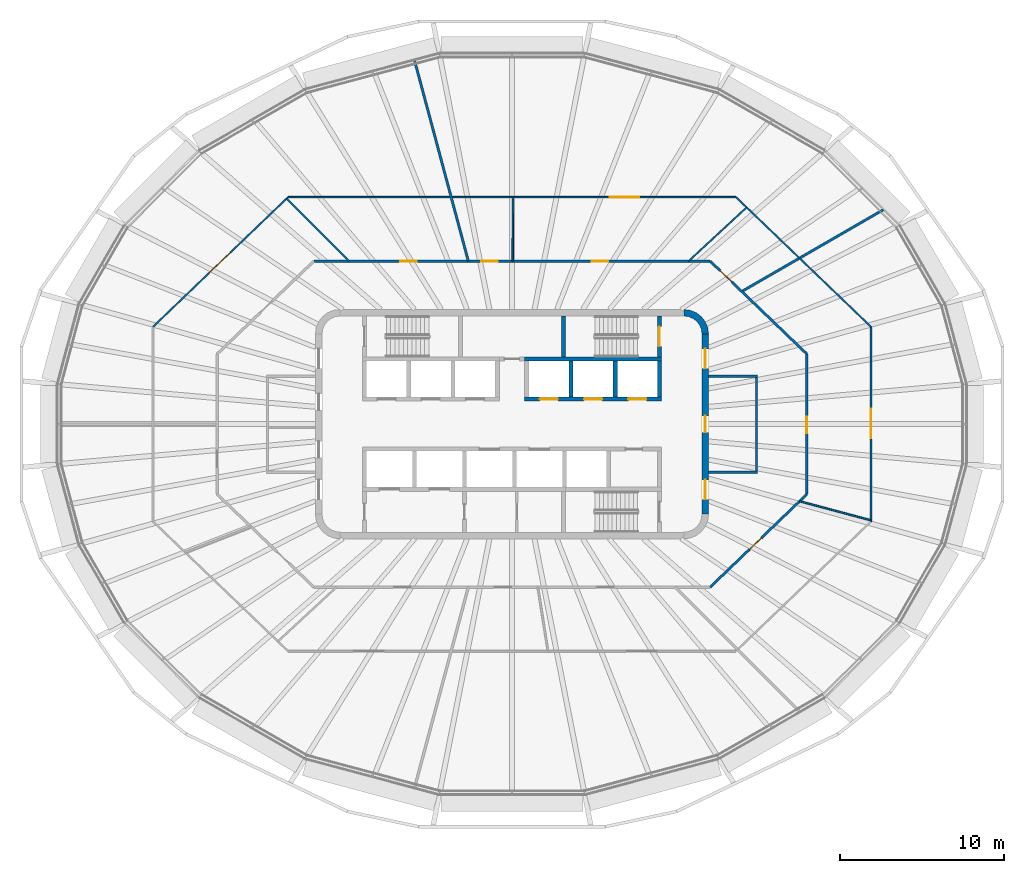
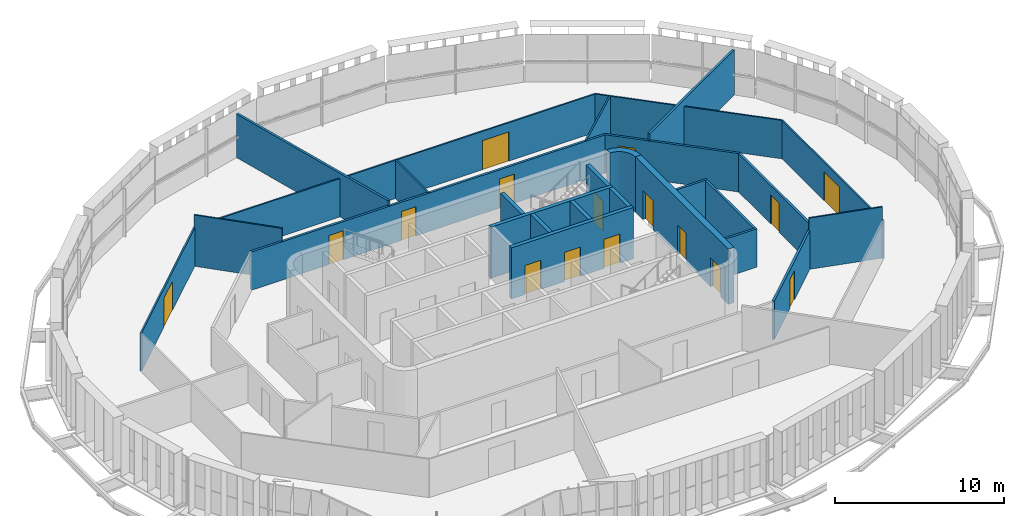
# One storey, part 11 of 18: 26 walls, 16 doors, 16 openings.
"""IFC4 building model written with IfcOpenShell, lengths in metres."""

from ifc_helpers import new_model, si_unit, direction, frame, frame_2d, origin, place, context, subcontext, project, spatial, polyline, rectangle, outline, extrude, material, layer, layer_set, type_object, element, fill, save


model = new_model("IFC4")

# Units and contexts
model_context = context("Model", 3, precision=1e-05, world=origin(), true_north=direction((0.0, 1.0)))
body_context = subcontext(model_context, "Body", "Model", "MODEL_VIEW")
ifc_project = project(units=[si_unit("LENGTHUNIT", "METRE"), si_unit("AREAUNIT", "SQUARE_METRE"), si_unit("VOLUMEUNIT", "CUBIC_METRE"), si_unit("PLANEANGLEUNIT", "RADIAN"), si_unit("MASSUNIT", "GRAM", prefix="KILO")], contexts=[model_context])

# Site, building, storey
site_placement = place(None, origin())
site = spatial("IfcSite", under=ifc_project, at=site_placement, CompositionType="ELEMENT")
building_placement = place(site_placement, origin())
building = spatial("IfcBuilding", under=site, at=building_placement, Name="Sahrelin Media Tower", CompositionType="ELEMENT")
storey_placement = place(building_placement, frame((0.0, 0.0, 295.0)))
storey = spatial("IfcBuildingStorey", under=building, at=storey_placement, Name="L65", CompositionType="ELEMENT", Elevation=295.0)

# Wall, openings, doors
ifc_material_1 = material(Name="Concrete C60/75", Category="concrete")
ifc_layer_1 = layer(ifc_material_1, 0.39990234375)
ifc_layer_set_1 = layer_set([ifc_layer_1], Name="Core wall 400")
wall_type_1 = type_object("IfcWallType", Name="Core wall 400", PredefinedType="SHEAR", material=ifc_layer_set_1)
wall_1_placement = place(storey_placement, frame((11.800048828125, -5.5, 0.0), z_axis=(0.0, 0.0, 1.0), x_axis=(0.0, 1.0, 0.0)))
wall_1 = element("IfcWall", 1, at=wall_1_placement, inside=storey, type_object=wall_type_1, Name="Core wall E L65", PredefinedType="SHEAR", context=body_context, shape_type="SweptSolid", body=[
    extrude(rectangle(XDim=11.0, YDim=0.39990234375, at=frame_2d((5.5, 0.0))), origin(), (0.0, 0.0, 1.0), 4.0),
])
opening_1_placement = place(wall_1_placement, frame((5.0, 0.0, 0.0)))
opening_1 = element("IfcOpeningElement", 2, at=opening_1_placement, cuts=wall_1, Name="Opening L65-D11", PredefinedType="OPENING", context=body_context, shape_type="SweptSolid", body=[
    extrude(rectangle(XDim=1.0, YDim=2.10009765625, at=frame_2d((0.5, 1.050048828125))), frame((0.0, 0.199951171875, 0.0), z_axis=(0.0, -1.0, 0.0), x_axis=(1.0, 0.0, 0.0)), (0.0, 0.0, 1.0), 0.39990234375),
])
opening_2_placement = place(wall_1_placement, frame((0.89990234375, 0.0, 0.0)))
opening_2 = element("IfcOpeningElement", 3, at=opening_2_placement, cuts=wall_1, Name="Opening L65-D14", PredefinedType="OPENING", context=body_context, shape_type="SweptSolid", body=[
    extrude(rectangle(XDim=1.199951171875, YDim=2.10009765625, at=frame_2d((0.60009765625, 1.050048828125))), frame((0.0, 0.199951171875, 0.0), z_axis=(0.0, -1.0, 0.0), x_axis=(1.0, 0.0, 0.0)), (0.0, 0.0, 1.0), 0.39990234375),
])
opening_3_placement = place(wall_1_placement, frame((8.89990234375, 0.0, 0.0)))
opening_3 = element("IfcOpeningElement", 4, at=opening_3_placement, cuts=wall_1, Name="Opening L65-D15", PredefinedType="OPENING", context=body_context, shape_type="SweptSolid", body=[
    extrude(rectangle(XDim=1.199951171875, YDim=2.10009765625, at=frame_2d((0.60009765625, 1.050048828125))), frame((0.0, 0.199951171875, 0.0), z_axis=(0.0, -1.0, 0.0), x_axis=(1.0, 0.0, 0.0)), (0.0, 0.0, 1.0), 0.39990234375),
])
ifc_material_2 = material(Name="Steel fire door leaf", Category="steel")
door_type_1 = type_object("IfcDoorType", Name="Fire door 1000 x 2100 EI 60", OperationType="NOTDEFINED", PredefinedType="DOOR", material=ifc_material_2)
door_1_placement = place(opening_1_placement, origin())
door_1 = element("IfcDoor", 5, at=door_1_placement, inside=storey, type_object=door_type_1, Name="Core room door", OperationType="SINGLE_SWING_RIGHT", OverallHeight=2.10009765625, OverallWidth=1.0, PredefinedType="DOOR", context=body_context, shape_type="SweptSolid", body=[
    extrude(rectangle(XDim=1.0, YDim=2.10009765625, at=frame_2d((0.5, 1.050048828125))), frame((0.0, 0.02490234375, 0.0), z_axis=(0.0, -1.0, 0.0), x_axis=(1.0, 0.0, 0.0)), (0.0, 0.0, 1.0), 0.050048828125),
])
fill(opening_1, door_1)
door_type_2 = type_object("IfcDoorType", Name="Lobby door 1200 x 2100 EI 60", OperationType="NOTDEFINED", PredefinedType="DOOR", material=ifc_material_2)
door_2_placement = place(opening_2_placement, origin())
door_2 = element("IfcDoor", 6, at=door_2_placement, inside=storey, type_object=door_type_2, Name="Lobby door", OperationType="SINGLE_SWING_LEFT", OverallHeight=2.10009765625, OverallWidth=1.199951171875, PredefinedType="DOOR", context=body_context, shape_type="SweptSolid", body=[
    extrude(rectangle(XDim=1.199951171875, YDim=2.10009765625, at=frame_2d((0.60009765625, 1.050048828125))), frame((0.0, 0.02490234375, 0.0), z_axis=(0.0, -1.0, 0.0), x_axis=(1.0, 0.0, 0.0)), (0.0, 0.0, 1.0), 0.050048828125),
])
fill(opening_2, door_2)
door_3_placement = place(opening_3_placement, origin())
door_3 = element("IfcDoor", 7, at=door_3_placement, inside=storey, type_object=door_type_2, Name="Lobby door", OperationType="SINGLE_SWING_LEFT", OverallHeight=2.10009765625, OverallWidth=1.199951171875, PredefinedType="DOOR", context=body_context, shape_type="SweptSolid", body=[
    extrude(rectangle(XDim=1.199951171875, YDim=2.10009765625, at=frame_2d((0.60009765625, 1.050048828125))), frame((0.0, 0.02490234375, 0.0), z_axis=(0.0, -1.0, 0.0), x_axis=(1.0, 0.0, 0.0)), (0.0, 0.0, 1.0), 0.050048828125),
])
fill(opening_3, door_3)

# Walls
wall_2_placement = place(storey_placement, origin())
element("IfcWall", 8, at=wall_2_placement, inside=storey, type_object=wall_type_1, Name="Core wall corner NE L65", PredefinedType="SHEAR", context=body_context, shape_type="SweptSolid", body=[
    extrude(outline(polyline([(10.5, 7.0), (10.5, 6.596435546875), (10.78369140625, 6.55908203125), (11.04833984375, 6.44970703125), (11.275390625, 6.275390625), (11.44970703125, 6.04833984375), (11.55908203125, 5.78369140625), (11.596435546875, 5.5), (12.0, 5.5), (11.948974609375, 5.88818359375), (11.799072265625, 6.25), (11.560791015625, 6.560791015625), (11.25, 6.799072265625), (10.88818359375, 6.948974609375), (10.5, 7.0)])), origin(), (0.0, 0.0, 1.0), 4.0),
])
ifc_material_3 = material(Name="Fire-rated gypsum board partition")
ifc_layer_2 = layer(ifc_material_3, 0.14990234375)
ifc_layer_set_2 = layer_set([ifc_layer_2], Name="Fire-rated partition 150")
wall_type_2 = type_object("IfcWallType", Name="Fire-rated partition 150", PredefinedType="PARTITIONING", material=ifc_layer_set_2)
wall_3_placement = place(storey_placement, frame((14.925048828125, -2.85009765625, 0.0), z_axis=(0.0, 0.0, 1.0), x_axis=(0.0, 1.0, 0.0)))
element("IfcWall", 9, at=wall_3_placement, inside=storey, type_object=wall_type_2, Name="Core room fire partition", PredefinedType="PARTITIONING", context=body_context, shape_type="SweptSolid", body=[
    extrude(rectangle(XDim=5.7001953125, YDim=0.14990234375, at=frame_2d((2.85009765625, 0.0))), origin(), (0.0, 0.0, 1.0), 2.768310546875),
])
for number, where, z_axis, x_axis, name in (
    (10, (12.0, 2.925048828125, 0.0), (0.0, 0.0, 1.0), (1.0, 0.0, 0.0), "Core room fire partition"),
    (11, (12.0, -2.925048828125, 0.0), (0.0, 0.0, 1.0), (1.0, 0.0, 0.0), "Core room fire partition"),
):
    element("IfcWall", number, at=place(storey_placement, frame(where, z_axis=z_axis, x_axis=x_axis)), inside=storey, type_object=wall_type_2, Name=name, PredefinedType="PARTITIONING", context=body_context, shape_type="SweptSolid", body=[
        extrude(rectangle(XDim=3.0, YDim=0.14990234375, at=frame_2d((1.5, 0.0))), origin(), (0.0, 0.0, 1.0), 2.768310546875),
    ])
wall_4_placement = place(storey_placement, frame((-5.95703125, 22.22998046875, 0.0), z_axis=(0.0, 0.0, 1.0), x_axis=(0.258861178381, -0.965914535726, 0.0)))
element("IfcWall", 12, at=wall_4_placement, inside=storey, type_object=wall_type_2, Name="Wall", PredefinedType="PARTITIONING", context=body_context, shape_type="SweptSolid", body=[
    extrude(rectangle(XDim=12.71435546875, YDim=0.14990234375, at=frame_2d((6.357177734375, 0.0))), origin(), (0.0, 0.0, 1.0), 3.15185546875),
])

# Wall, opening, door
wall_5_placement = place(storey_placement, frame((12.094970703125, 9.948974609375, 0.0), z_axis=(0.0, 0.0, 1.0), x_axis=(0.721290181137, -0.692633001376, 0.0)))
wall_5 = element("IfcWall", 13, at=wall_5_placement, inside=storey, type_object=wall_type_2, Name="Wall", PredefinedType="PARTITIONING", context=body_context, shape_type="SweptSolid", body=[
    extrude(rectangle(XDim=8.18701171875, YDim=0.14990234375, at=frame_2d((4.093505859375, 0.0))), origin(), (0.0, 0.0, 1.0), 2.777099609375),
])
opening_4_placement = place(wall_5_placement, frame((0.8388671875, 0.0, 0.0)))
opening_4 = element("IfcOpeningElement", 14, at=opening_4_placement, cuts=wall_5, Name="Opening L65-D19", PredefinedType="OPENING", context=body_context, shape_type="SweptSolid", body=[
    extrude(rectangle(XDim=1.0, YDim=2.10009765625, at=frame_2d((0.5, 1.050048828125))), frame((0.0, 0.074951171875, 0.0), z_axis=(0.0, -1.0, 0.0), x_axis=(1.0, 0.0, 0.0)), (0.0, 0.0, 1.0), 0.14990234375),
])
door_4_placement = place(opening_4_placement, origin())
door_4 = element("IfcDoor", 15, at=door_4_placement, inside=storey, type_object=door_type_1, Name="Fire door", OperationType="SINGLE_SWING_LEFT", OverallHeight=2.10009765625, OverallWidth=1.0, PredefinedType="DOOR", context=body_context, shape_type="SweptSolid", body=[
    extrude(rectangle(XDim=1.0, YDim=2.10009765625, at=frame_2d((0.5, 1.050048828125))), frame((0.0, 0.02490234375, 0.0), z_axis=(0.0, -1.0, 0.0), x_axis=(1.0, 0.0, 0.0)), (0.0, 0.0, 1.0), 0.050048828125),
])
fill(opening_4, door_4)

# Wall, openings, doors
wall_6_placement = place(storey_placement, frame((-12.094970703125, 9.948974609375, 0.0), z_axis=(0.0, 0.0, 1.0), x_axis=(1.0, 0.0, 0.0)))
wall_6 = element("IfcWall", 16, at=wall_6_placement, inside=storey, type_object=wall_type_2, Name="Wall", PredefinedType="PARTITIONING", context=body_context, shape_type="SweptSolid", body=[
    extrude(rectangle(XDim=24.18994140625, YDim=0.14990234375, at=frame_2d((12.094970703125, 0.0))), origin(), (0.0, 0.0, 1.0), 2.768310546875),
])
opening_5_placement = place(wall_6_placement, frame((16.955322265625, 0.0, 0.0)))
opening_5 = element("IfcOpeningElement", 17, at=opening_5_placement, cuts=wall_6, Name="Opening L65-D20", PredefinedType="OPENING", context=body_context, shape_type="SweptSolid", body=[
    extrude(rectangle(XDim=1.0, YDim=2.10009765625, at=frame_2d((0.5, 1.050048828125))), frame((0.0, 0.074951171875, 0.0), z_axis=(0.0, -1.0, 0.0), x_axis=(1.0, 0.0, 0.0)), (0.0, 0.0, 1.0), 0.14990234375),
])
opening_6_placement = place(wall_6_placement, frame((10.23291015625, 0.0, 0.0)))
opening_6 = element("IfcOpeningElement", 18, at=opening_6_placement, cuts=wall_6, Name="Opening L65-D21", PredefinedType="OPENING", context=body_context, shape_type="SweptSolid", body=[
    extrude(rectangle(XDim=1.0, YDim=2.10009765625, at=frame_2d((0.5, 1.050048828125))), frame((0.0, 0.074951171875, 0.0), z_axis=(0.0, -1.0, 0.0), x_axis=(1.0, 0.0, 0.0)), (0.0, 0.0, 1.0), 0.14990234375),
])
opening_7_placement = place(wall_6_placement, frame((5.28759765625, 0.0, 0.0)))
opening_7 = element("IfcOpeningElement", 19, at=opening_7_placement, cuts=wall_6, Name="Opening L65-D23", PredefinedType="OPENING", context=body_context, shape_type="SweptSolid", body=[
    extrude(rectangle(XDim=1.0, YDim=2.10009765625, at=frame_2d((0.5, 1.050048828125))), frame((0.0, 0.074951171875, 0.0), z_axis=(0.0, -1.0, 0.0), x_axis=(1.0, 0.0, 0.0)), (0.0, 0.0, 1.0), 0.14990234375),
])
door_5_placement = place(opening_5_placement, origin())
door_5 = element("IfcDoor", 20, at=door_5_placement, inside=storey, type_object=door_type_1, Name="Fire door", OperationType="SINGLE_SWING_RIGHT", OverallHeight=2.10009765625, OverallWidth=1.0, PredefinedType="DOOR", context=body_context, shape_type="SweptSolid", body=[
    extrude(rectangle(XDim=1.0, YDim=2.10009765625, at=frame_2d((0.5, 1.050048828125))), frame((0.0, 0.02490234375, 0.0), z_axis=(0.0, -1.0, 0.0), x_axis=(1.0, 0.0, 0.0)), (0.0, 0.0, 1.0), 0.050048828125),
])
fill(opening_5, door_5)
door_6_placement = place(opening_6_placement, origin())
door_6 = element("IfcDoor", 21, at=door_6_placement, inside=storey, type_object=door_type_1, Name="Fire door", OperationType="SINGLE_SWING_LEFT", OverallHeight=2.10009765625, OverallWidth=1.0, PredefinedType="DOOR", context=body_context, shape_type="SweptSolid", body=[
    extrude(rectangle(XDim=1.0, YDim=2.10009765625, at=frame_2d((0.5, 1.050048828125))), frame((0.0, 0.02490234375, 0.0), z_axis=(0.0, -1.0, 0.0), x_axis=(1.0, 0.0, 0.0)), (0.0, 0.0, 1.0), 0.050048828125),
])
fill(opening_6, door_6)
door_7_placement = place(opening_7_placement, origin())
door_7 = element("IfcDoor", 22, at=door_7_placement, inside=storey, type_object=door_type_1, Name="Fire door", OperationType="SINGLE_SWING_RIGHT", OverallHeight=2.10009765625, OverallWidth=1.0, PredefinedType="DOOR", context=body_context, shape_type="SweptSolid", body=[
    extrude(rectangle(XDim=1.0, YDim=2.10009765625, at=frame_2d((0.5, 1.050048828125))), frame((0.0, 0.02490234375, 0.0), z_axis=(0.0, -1.0, 0.0), x_axis=(1.0, 0.0, 0.0)), (0.0, 0.0, 1.0), 0.050048828125),
])
fill(opening_7, door_7)

# Wall
wall_7_placement = place(storey_placement, frame((14.02392578125, 8.096923828125, 0.0), z_axis=(0.0, 0.0, 1.0), x_axis=(0.866012014455, 0.500023190282, 0.0)))
element("IfcWall", 23, at=wall_7_placement, inside=storey, type_object=wall_type_2, Name="Wall", PredefinedType="PARTITIONING", context=body_context, shape_type="SweptSolid", body=[
    extrude(rectangle(XDim=10.025390625, YDim=0.14990234375, at=frame_2d((5.0126953125, 0.0))), origin(), (0.0, 0.0, 1.0), 3.273681640625),
])

# Wall, opening, door
wall_8_placement = place(storey_placement, frame((12.094970703125, -9.948974609375, 0.0), z_axis=(0.0, 0.0, 1.0), x_axis=(0.721348586031, 0.692572174889, 0.0)))
wall_8 = element("IfcWall", 24, at=wall_8_placement, inside=storey, type_object=wall_type_2, Name="Wall", PredefinedType="PARTITIONING", context=body_context, shape_type="SweptSolid", body=[
    extrude(rectangle(XDim=8.18701171875, YDim=0.14990234375, at=frame_2d((4.093505859375, 0.0))), origin(), (0.0, 0.0, 1.0), 2.777099609375),
])
opening_8_placement = place(wall_8_placement, frame((3.333740234375, 0.0, 0.0)))
opening_8 = element("IfcOpeningElement", 25, at=opening_8_placement, cuts=wall_8, Name="Opening L65-D16", PredefinedType="OPENING", context=body_context, shape_type="SweptSolid", body=[
    extrude(rectangle(XDim=1.0, YDim=2.10009765625, at=frame_2d((0.5, 1.050048828125))), frame((0.0, 0.074951171875, 0.0), z_axis=(0.0, -1.0, 0.0), x_axis=(1.0, 0.0, 0.0)), (0.0, 0.0, 1.0), 0.14990234375),
])
door_8_placement = place(opening_8_placement, origin())
door_8 = element("IfcDoor", 26, at=door_8_placement, inside=storey, type_object=door_type_1, Name="Fire door", OperationType="SINGLE_SWING_RIGHT", OverallHeight=2.10009765625, OverallWidth=1.0, PredefinedType="DOOR", context=body_context, shape_type="SweptSolid", body=[
    extrude(rectangle(XDim=1.0, YDim=2.10009765625, at=frame_2d((0.5, 1.050048828125))), frame((0.0, 0.02490234375, 0.0), z_axis=(0.0, -1.0, 0.0), x_axis=(1.0, 0.0, 0.0)), (0.0, 0.0, 1.0), 0.050048828125),
])
fill(opening_8, door_8)

wall_9_placement = place(storey_placement, frame((18.0, -4.278076171875, 0.0), z_axis=(0.0, 0.0, 1.0), x_axis=(0.0, 1.0, 0.0)))
wall_9 = element("IfcWall", 27, at=wall_9_placement, inside=storey, type_object=wall_type_2, Name="Wall", PredefinedType="PARTITIONING", context=body_context, shape_type="SweptSolid", body=[
    extrude(rectangle(XDim=8.55615234375, YDim=0.14990234375, at=frame_2d((4.278076171875, 0.0))), origin(), (0.0, 0.0, 1.0), 2.768310546875),
])
opening_9_placement = place(wall_9_placement, frame((3.7275390625, 0.0, 0.0)))
opening_9 = element("IfcOpeningElement", 28, at=opening_9_placement, cuts=wall_9, Name="Opening L65-D17", PredefinedType="OPENING", context=body_context, shape_type="SweptSolid", body=[
    extrude(rectangle(XDim=1.0, YDim=2.10009765625, at=frame_2d((0.5, 1.050048828125))), frame((0.0, 0.074951171875, 0.0), z_axis=(0.0, -1.0, 0.0), x_axis=(1.0, 0.0, 0.0)), (0.0, 0.0, 1.0), 0.14990234375),
])
door_9_placement = place(opening_9_placement, origin())
door_9 = element("IfcDoor", 29, at=door_9_placement, inside=storey, type_object=door_type_1, Name="Fire door", OperationType="SINGLE_SWING_LEFT", OverallHeight=2.10009765625, OverallWidth=1.0, PredefinedType="DOOR", context=body_context, shape_type="SweptSolid", body=[
    extrude(rectangle(XDim=1.0, YDim=2.10009765625, at=frame_2d((0.5, 1.050048828125))), frame((0.0, 0.02490234375, 0.0), z_axis=(0.0, -1.0, 0.0), x_axis=(1.0, 0.0, 0.0)), (0.0, 0.0, 1.0), 0.050048828125),
])
fill(opening_9, door_9)

# Wall, openings, doors
ifc_layer_3 = layer(ifc_material_1, 0.25)
ifc_layer_set_3 = layer_set([ifc_layer_3], Name="Lift shaft wall 250")
wall_type_3 = type_object("IfcWallType", Name="Lift shaft wall 250", PredefinedType="SOLIDWALL", material=ifc_layer_set_3)
wall_10_placement = place(storey_placement, frame((0.77490234375, 1.52490234375, 0.0), z_axis=(0.0, 0.0, 1.0), x_axis=(1.0, 0.0, 0.0)))
wall_10 = element("IfcWall", 30, at=wall_10_placement, inside=storey, type_object=wall_type_3, Name="Lift shaft wall", PredefinedType="SOLIDWALL", context=body_context, shape_type="SweptSolid", body=[
    extrude(rectangle(XDim=8.35009765625, YDim=0.25, at=frame_2d((4.175048828125, 0.0))), origin(), (0.0, 0.0, 1.0), 3.699951171875),
])
opening_10_placement = place(wall_10_placement, frame((0.925048828125, 0.0, 0.0)))
opening_10 = element("IfcOpeningElement", 31, at=opening_10_placement, cuts=wall_10, Name="Opening L65-LD-HR4", PredefinedType="OPENING", context=body_context, shape_type="SweptSolid", body=[
    extrude(rectangle(XDim=1.10009765625, YDim=2.10009765625, at=frame_2d((0.550048828125, 1.050048828125))), frame((0.0, 0.125, 0.0), z_axis=(0.0, -1.0, 0.0), x_axis=(1.0, 0.0, 0.0)), (0.0, 0.0, 1.0), 0.25),
])
opening_11_placement = place(wall_10_placement, frame((3.625, 0.0, 0.0)))
opening_11 = element("IfcOpeningElement", 32, at=opening_11_placement, cuts=wall_10, Name="Opening L65-LD-HR5", PredefinedType="OPENING", context=body_context, shape_type="SweptSolid", body=[
    extrude(rectangle(XDim=1.10009765625, YDim=2.10009765625, at=frame_2d((0.550048828125, 1.050048828125))), frame((0.0, 0.125, 0.0), z_axis=(0.0, -1.0, 0.0), x_axis=(1.0, 0.0, 0.0)), (0.0, 0.0, 1.0), 0.25),
])
opening_12_placement = place(wall_10_placement, frame((6.324951171875, 0.0, 0.0)))
opening_12 = element("IfcOpeningElement", 33, at=opening_12_placement, cuts=wall_10, Name="Opening L65-LD-HR6", PredefinedType="OPENING", context=body_context, shape_type="SweptSolid", body=[
    extrude(rectangle(XDim=1.10009765625, YDim=2.10009765625, at=frame_2d((0.550048828125, 1.050048828125))), frame((0.0, 0.125, 0.0), z_axis=(0.0, -1.0, 0.0), x_axis=(1.0, 0.0, 0.0)), (0.0, 0.0, 1.0), 0.25),
])
ifc_material_4 = material(Name="Stainless steel", Category="steel")
door_type_3 = type_object("IfcDoorType", Name="Lift landing door 1100 x 2100 EI 120", OperationType="DOUBLE_DOOR_SLIDING", PredefinedType="DOOR", material=ifc_material_4)
door_10_placement = place(opening_10_placement, origin())
door_10 = element("IfcDoor", 34, at=door_10_placement, inside=storey, type_object=door_type_3, Name="Lift landing door HR4", OperationType="DOUBLE_DOOR_SLIDING", OverallHeight=2.10009765625, OverallWidth=1.10009765625, PredefinedType="DOOR", context=body_context, shape_type="SweptSolid", body=[
    extrude(rectangle(XDim=1.10009765625, YDim=2.10009765625, at=frame_2d((0.550048828125, 1.050048828125))), frame((0.0, 0.02490234375, 0.0), z_axis=(0.0, -1.0, 0.0), x_axis=(1.0, 0.0, 0.0)), (0.0, 0.0, 1.0), 0.050048828125),
])
fill(opening_10, door_10)
door_11_placement = place(opening_11_placement, origin())
door_11 = element("IfcDoor", 35, at=door_11_placement, inside=storey, type_object=door_type_3, Name="Lift landing door HR5", OperationType="DOUBLE_DOOR_SLIDING", OverallHeight=2.10009765625, OverallWidth=1.10009765625, PredefinedType="DOOR", context=body_context, shape_type="SweptSolid", body=[
    extrude(rectangle(XDim=1.10009765625, YDim=2.10009765625, at=frame_2d((0.550048828125, 1.050048828125))), frame((0.0, 0.02490234375, 0.0), z_axis=(0.0, -1.0, 0.0), x_axis=(1.0, 0.0, 0.0)), (0.0, 0.0, 1.0), 0.050048828125),
])
fill(opening_11, door_11)
door_12_placement = place(opening_12_placement, origin())
door_12 = element("IfcDoor", 36, at=door_12_placement, inside=storey, type_object=door_type_3, Name="Lift landing door HR6", OperationType="DOUBLE_DOOR_SLIDING", OverallHeight=2.10009765625, OverallWidth=1.10009765625, PredefinedType="DOOR", context=body_context, shape_type="SweptSolid", body=[
    extrude(rectangle(XDim=1.10009765625, YDim=2.10009765625, at=frame_2d((0.550048828125, 1.050048828125))), frame((0.0, 0.02490234375, 0.0), z_axis=(0.0, -1.0, 0.0), x_axis=(1.0, 0.0, 0.0)), (0.0, 0.0, 1.0), 0.050048828125),
])
fill(opening_12, door_12)

# Walls
wall_11_placement = place(storey_placement, frame((0.77490234375, 3.97509765625, 0.0), z_axis=(0.0, 0.0, 1.0), x_axis=(1.0, 0.0, 0.0)))
element("IfcWall", 37, at=wall_11_placement, inside=storey, type_object=wall_type_3, Name="Lift shaft wall", PredefinedType="SOLIDWALL", context=body_context, shape_type="SweptSolid", body=[
    extrude(rectangle(XDim=8.35009765625, YDim=0.25, at=frame_2d((4.175048828125, 0.0))), origin(), (0.0, 0.0, 1.0), 3.699951171875),
])
for number, where, z_axis, x_axis, name in (
    (38, (9.0, 1.64990234375, 0.0), (0.0, 0.0, 1.0), (0.0, 1.0, 0.0), "Lift shaft wall"),
    (39, (6.300048828125, 1.64990234375, 0.0), (0.0, 0.0, 1.0), (0.0, 1.0, 0.0), "Lift shaft wall"),
    (40, (3.60009765625, 1.64990234375, 0.0), (0.0, 0.0, 1.0), (0.0, 1.0, 0.0), "Lift shaft wall"),
):
    element("IfcWall", number, at=place(storey_placement, frame(where, z_axis=z_axis, x_axis=x_axis)), inside=storey, type_object=wall_type_3, Name=name, PredefinedType="SOLIDWALL", context=body_context, shape_type="SweptSolid", body=[
        extrude(rectangle(XDim=2.2001953125, YDim=0.25, at=frame_2d((1.10009765625, 0.0))), origin(), (0.0, 0.0, 1.0), 3.699951171875),
    ])
ifc_material_5 = material(Name="Gypsum board partition")
ifc_layer_4 = layer(ifc_material_5, 0.10009765625)
ifc_layer_set_4 = layer_set([ifc_layer_4], Name="Partition 100")
wall_type_4 = type_object("IfcWallType", Name="Partition 100", PredefinedType="PARTITIONING", material=ifc_layer_set_4)
wall_12_placement = place(storey_placement, frame((-13.76611328125, 13.764892578125, 0.0), z_axis=(0.0, 0.0, 1.0), x_axis=(0.707219854948, -0.70699368934, 0.0)))
element("IfcWall", 41, at=wall_12_placement, inside=storey, type_object=wall_type_4, Name="Wall", PredefinedType="PARTITIONING", context=body_context, shape_type="SweptSolid", body=[
    extrude(rectangle(XDim=5.3974609375, YDim=0.10009765625, at=frame_2d((2.69873046875, 0.0))), origin(), (0.0, 0.0, 1.0), 3.699951171875),
])
wall_13_placement = place(storey_placement, frame((13.66796875, 13.85888671875, 0.0), z_axis=(0.0, 0.0, 1.0), x_axis=(0.721286980933, -0.692636333971, 0.0)))
element("IfcWall", 42, at=wall_13_placement, inside=storey, type_object=wall_type_4, Name="Wall", PredefinedType="PARTITIONING", context=body_context, shape_type="SweptSolid", body=[
    extrude(rectangle(XDim=11.427001953125, YDim=0.10009765625, at=frame_2d((5.71337890625, 0.0))), origin(), (0.0, 0.0, 1.0), 2.777099609375),
])
wall_14_placement = place(storey_placement, frame((17.555908203125, -4.7041015625, 0.0), z_axis=(0.0, 0.0, 1.0), x_axis=(0.965906947234, -0.258889492418, 0.0)))
element("IfcWall", 43, at=wall_14_placement, inside=storey, type_object=wall_type_4, Name="Wall", PredefinedType="PARTITIONING", context=body_context, shape_type="SweptSolid", body=[
    extrude(rectangle(XDim=4.507568359375, YDim=0.10009765625, at=frame_2d((2.25390625, 0.0))), origin(), (0.0, 0.0, 1.0), 3.699951171875),
])

# Wall, opening, door
wall_15_placement = place(storey_placement, frame((-13.66796875, 13.85888671875, 0.0), z_axis=(0.0, 0.0, 1.0), x_axis=(1.0, 0.0, 0.0)))
wall_15 = element("IfcWall", 44, at=wall_15_placement, inside=storey, type_object=wall_type_4, Name="Wall", PredefinedType="PARTITIONING", context=body_context, shape_type="SweptSolid", body=[
    extrude(rectangle(XDim=27.3359375, YDim=0.10009765625, at=frame_2d((13.66796875, 0.0))), origin(), (0.0, 0.0, 1.0), 2.768310546875),
])
opening_13_placement = place(wall_15_placement, frame((19.632568359375, 0.0, 0.0)))
opening_13 = element("IfcOpeningElement", 45, at=opening_13_placement, cuts=wall_15, Name="Opening L65-D22", PredefinedType="OPENING", context=body_context, shape_type="SweptSolid", body=[
    extrude(rectangle(XDim=1.800048828125, YDim=2.10009765625, at=frame_2d((0.89990234375, 1.050048828125))), frame((0.0, 0.050048828125, 0.0), z_axis=(0.0, -1.0, 0.0), x_axis=(1.0, 0.0, 0.0)), (0.0, 0.0, 1.0), 0.10009765625),
])
ifc_material_6 = material(Name="Timber door leaf", Category="wood")
door_type_4 = type_object("IfcDoorType", Name="Double door 1800 x 2100", OperationType="DOUBLE_DOOR_SINGLE_SWING", PredefinedType="DOOR", material=ifc_material_6)
door_13_placement = place(opening_13_placement, origin())
door_13 = element("IfcDoor", 46, at=door_13_placement, inside=storey, type_object=door_type_4, Name="Double door", OperationType="DOUBLE_DOOR_SINGLE_SWING", OverallHeight=2.10009765625, OverallWidth=1.800048828125, PredefinedType="DOOR", context=body_context, shape_type="SweptSolid", body=[
    extrude(rectangle(XDim=1.800048828125, YDim=2.10009765625, at=frame_2d((0.89990234375, 1.050048828125))), frame((0.0, 0.02490234375, 0.0), z_axis=(0.0, -1.0, 0.0), x_axis=(1.0, 0.0, 0.0)), (0.0, 0.0, 1.0), 0.050048828125),
])
fill(opening_13, door_13)

# Wall
wall_16_placement = place(storey_placement, frame((10.777099609375, 9.948974609375, 0.0), z_axis=(0.0, 0.0, 1.0), x_axis=(0.733892218001, 0.679265936403, 0.0)))
element("IfcWall", 47, at=wall_16_placement, inside=storey, type_object=wall_type_4, Name="Wall", PredefinedType="PARTITIONING", context=body_context, shape_type="SweptSolid", body=[
    extrude(rectangle(XDim=4.831298828125, YDim=0.10009765625, at=frame_2d((2.41552734375, 0.0))), origin(), (0.0, 0.0, 1.0), 2.777099609375),
])

# Wall, opening, door
wall_17_placement = place(storey_placement, frame((-21.909912109375, 5.944091796875, 0.0), z_axis=(0.0, 0.0, 1.0), x_axis=(0.721423184004, 0.69249446899, 0.0)))
wall_17 = element("IfcWall", 48, at=wall_17_placement, inside=storey, type_object=wall_type_4, Name="Wall", PredefinedType="PARTITIONING", context=body_context, shape_type="SweptSolid", body=[
    extrude(rectangle(XDim=11.427001953125, YDim=0.10009765625, at=frame_2d((5.71337890625, 0.0))), origin(), (0.0, 0.0, 1.0), 2.777099609375),
])
opening_14_placement = place(wall_17_placement, frame((4.75, 0.0, 0.0)))
opening_14 = element("IfcOpeningElement", 49, at=opening_14_placement, cuts=wall_17, Name="Opening L65-D25", PredefinedType="OPENING", context=body_context, shape_type="SweptSolid", body=[
    extrude(rectangle(XDim=1.800048828125, YDim=2.10009765625, at=frame_2d((0.89990234375, 1.050048828125))), frame((0.0, 0.050048828125, 0.0), z_axis=(0.0, -1.0, 0.0), x_axis=(1.0, 0.0, 0.0)), (0.0, 0.0, 1.0), 0.10009765625),
])
door_14_placement = place(opening_14_placement, origin())
door_14 = element("IfcDoor", 50, at=door_14_placement, inside=storey, type_object=door_type_4, Name="Double door", OperationType="DOUBLE_DOOR_SINGLE_SWING", OverallHeight=2.10009765625, OverallWidth=1.800048828125, PredefinedType="DOOR", context=body_context, shape_type="SweptSolid", body=[
    extrude(rectangle(XDim=1.800048828125, YDim=2.10009765625, at=frame_2d((0.89990234375, 1.050048828125))), frame((0.0, 0.02490234375, 0.0), z_axis=(0.0, -1.0, 0.0), x_axis=(1.0, 0.0, 0.0)), (0.0, 0.0, 1.0), 0.050048828125),
])
fill(opening_14, door_14)

# Wall
wall_18_placement = place(storey_placement, frame((0.0439453125, 9.948974609375, 0.0), z_axis=(0.0, 0.0, 1.0), x_axis=(0.004370860527, 0.999990447744, 0.0)))
element("IfcWall", 51, at=wall_18_placement, inside=storey, type_object=wall_type_4, Name="Wall", PredefinedType="PARTITIONING", context=body_context, shape_type="SweptSolid", body=[
    extrude(rectangle(XDim=3.909912109375, YDim=0.10009765625, at=frame_2d((1.955078125, 0.0))), origin(), (0.0, 0.0, 1.0), 2.768310546875),
])

# Wall, opening, door
wall_19_placement = place(storey_placement, frame((21.909912109375, -5.944091796875, 0.0), z_axis=(0.0, 0.0, 1.0), x_axis=(0.0, 1.0, 0.0)))
wall_19 = element("IfcWall", 52, at=wall_19_placement, inside=storey, type_object=wall_type_4, Name="Wall", PredefinedType="PARTITIONING", context=body_context, shape_type="SweptSolid", body=[
    extrude(rectangle(XDim=11.88818359375, YDim=0.10009765625, at=frame_2d((5.944091796875, 0.0))), origin(), (0.0, 0.0, 1.0), 2.768310546875),
])
opening_15_placement = place(wall_19_placement, frame((5.08056640625, 0.0, 0.0)))
opening_15 = element("IfcOpeningElement", 53, at=opening_15_placement, cuts=wall_19, Name="Opening L65-D18", PredefinedType="OPENING", context=body_context, shape_type="SweptSolid", body=[
    extrude(rectangle(XDim=1.800048828125, YDim=2.10009765625, at=frame_2d((0.89990234375, 1.050048828125))), frame((0.0, 0.050048828125, 0.0), z_axis=(0.0, -1.0, 0.0), x_axis=(1.0, 0.0, 0.0)), (0.0, 0.0, 1.0), 0.10009765625),
])
door_15_placement = place(opening_15_placement, origin())
door_15 = element("IfcDoor", 54, at=door_15_placement, inside=storey, type_object=door_type_4, Name="Double door", OperationType="DOUBLE_DOOR_SINGLE_SWING", OverallHeight=2.10009765625, OverallWidth=1.800048828125, PredefinedType="DOOR", context=body_context, shape_type="SweptSolid", body=[
    extrude(rectangle(XDim=1.800048828125, YDim=2.10009765625, at=frame_2d((0.89990234375, 1.050048828125))), frame((0.0, 0.02490234375, 0.0), z_axis=(0.0, -1.0, 0.0), x_axis=(1.0, 0.0, 0.0)), (0.0, 0.0, 1.0), 0.050048828125),
])
fill(opening_15, door_15)

ifc_layer_5 = layer(ifc_material_1, 0.25)
ifc_layer_set_5 = layer_set([ifc_layer_5], Name="Stair enclosure wall 250")
wall_type_5 = type_object("IfcWallType", Name="Stair enclosure wall 250", PredefinedType="SOLIDWALL", material=ifc_layer_set_5)
wall_20_placement = place(storey_placement, frame((9.0, 4.10009765625, 0.0), z_axis=(0.0, 0.0, 1.0), x_axis=(0.0, 1.0, 0.0)))
wall_20 = element("IfcWall", 55, at=wall_20_placement, inside=storey, type_object=wall_type_5, Name="Stair enclosure wall", PredefinedType="SOLIDWALL", context=body_context, shape_type="SweptSolid", body=[
    extrude(rectangle(XDim=2.5, YDim=0.25, at=frame_2d((1.25, 0.0))), origin(), (0.0, 0.0, 1.0), 3.699951171875),
])
opening_16_placement = place(wall_20_placement, frame((0.64990234375, 0.0, 0.0)))
opening_16 = element("IfcOpeningElement", 56, at=opening_16_placement, cuts=wall_20, Name="Opening L65-D02", PredefinedType="OPENING", context=body_context, shape_type="SweptSolid", body=[
    extrude(rectangle(XDim=1.199951171875, YDim=2.10009765625, at=frame_2d((0.60009765625, 1.050048828125))), frame((0.0, 0.125, 0.0), z_axis=(0.0, -1.0, 0.0), x_axis=(1.0, 0.0, 0.0)), (0.0, 0.0, 1.0), 0.25),
])
door_type_5 = type_object("IfcDoorType", Name="Stair door 1200 x 2100 EI 120", OperationType="NOTDEFINED", PredefinedType="DOOR", material=ifc_material_2)
door_16_placement = place(opening_16_placement, origin())
door_16 = element("IfcDoor", 57, at=door_16_placement, inside=storey, type_object=door_type_5, Name="Stair door ST3", OperationType="SINGLE_SWING_LEFT", OverallHeight=2.10009765625, OverallWidth=1.199951171875, PredefinedType="DOOR", context=body_context, shape_type="SweptSolid", body=[
    extrude(rectangle(XDim=1.199951171875, YDim=2.10009765625, at=frame_2d((0.60009765625, 1.050048828125))), frame((0.0, 0.02490234375, 0.0), z_axis=(0.0, -1.0, 0.0), x_axis=(1.0, 0.0, 0.0)), (0.0, 0.0, 1.0), 0.050048828125),
])
fill(opening_16, door_16)

# Wall
wall_21_placement = place(storey_placement, frame((3.14990234375, 4.10009765625, 0.0), z_axis=(0.0, 0.0, 1.0), x_axis=(0.0, 1.0, 0.0)))
element("IfcWall", 58, at=wall_21_placement, inside=storey, type_object=wall_type_5, Name="Stair enclosure wall", PredefinedType="SOLIDWALL", context=body_context, shape_type="SweptSolid", body=[
    extrude(rectangle(XDim=2.5, YDim=0.25, at=frame_2d((1.25, 0.0))), origin(), (0.0, 0.0, 1.0), 3.699951171875),
])

save(model, "model.ifc")
